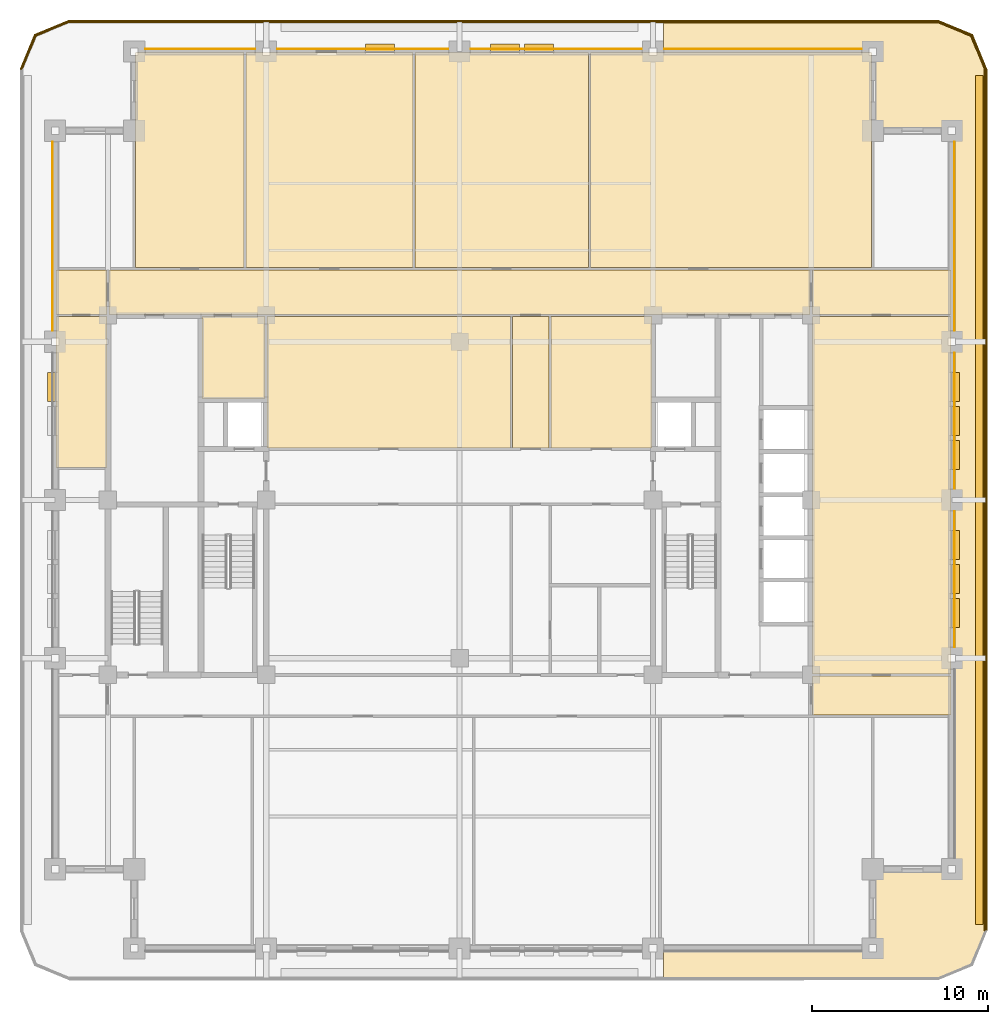
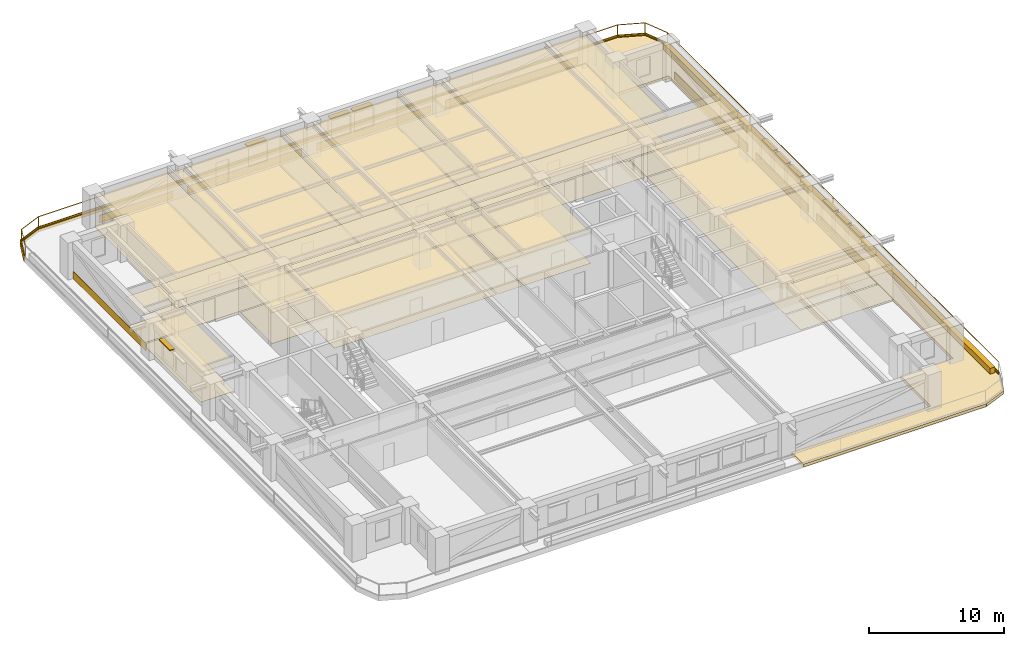
# One storey, part 13 of 13: 44 coverings, 10 shading devices, 2 railings.
"""IFC4 building model written with IfcOpenShell, lengths in metres."""

from ifc_helpers import new_model, si_unit, direction, frame, frame_2d, origin, origin_2d, place, context, subcontext, project, spatial, polyline, rectangle, outline, extrude, material, layer, layer_set, type_object, element, save


model = new_model("IFC4")

# Units and contexts
model_context = context("Model", 3, precision=1e-05, world=origin(), true_north=direction((0.0, 1.0)))
body_context = subcontext(model_context, "Body", "Model", "MODEL_VIEW")
ifc_project = project(units=[si_unit("LENGTHUNIT", "METRE"), si_unit("AREAUNIT", "SQUARE_METRE"), si_unit("VOLUMEUNIT", "CUBIC_METRE"), si_unit("PLANEANGLEUNIT", "RADIAN"), si_unit("MASSUNIT", "GRAM", prefix="KILO")], contexts=[model_context])

# Site, building, storey
site_placement = place(None, origin())
site = spatial("IfcSite", under=ifc_project, at=site_placement, CompositionType="ELEMENT")
building_placement = place(site_placement, origin())
building = spatial("IfcBuilding", under=site, at=building_placement, Name="Zulmaris Gate Convention Tower", CompositionType="ELEMENT")
storey_placement = place(building_placement, frame((0.0, 0.0, 105.639892578125)))
storey = spatial("IfcBuildingStorey", under=building, at=storey_placement, Name="L26", CompositionType="ELEMENT", Elevation=105.639892578125)

# Coverings
ifc_material_1 = material(Name="Precast concrete C40/50", Category="concrete")
ifc_layer_1 = layer(ifc_material_1, 0.0400390625, Name="Precast concrete C40/50")
ifc_layer_set_1 = layer_set([ifc_layer_1], Name="Precast concrete C40/50")
covering_type_1 = type_object("IfcCoveringType", Name="CLAD-SPANDREL-PRECAST", PredefinedType="CLADDING", material=ifc_layer_set_1)
covering_1_placement = place(storey_placement, frame((-11.6298828125, 25.64990234375, 0.0), z_axis=(0.0, 0.0, 1.0), x_axis=(-1.0, 0.0, 0.0)))
element("IfcCovering", 1, at=covering_1_placement, inside=storey, type_object=covering_type_1, Name="CLD-L26-N-0_0", PredefinedType="CLADDING", context=body_context, shape_type="SweptSolid", body=[
    extrude(rectangle(XDim=6.240234375, YDim=0.0400390625, at=frame_2d((3.1201171875, 0.0))), origin(), (0.0, 0.0, 1.0), 0.679931640625),
])
for number, where, z_axis, x_axis, name in (
    (2, (-0.6298828125, 25.64990234375, 0.0), (0.0, 0.0, 1.0), (-1.0, 0.0, 0.0), "CLD-L26-N-1_0"),
    (3, (10.3701171875, 25.64990234375, 0.0), (0.0, 0.0, 1.0), (-1.0, 0.0, 0.0), "CLD-L26-N-2_0"),
):
    element("IfcCovering", number, at=place(storey_placement, frame(where, z_axis=z_axis, x_axis=x_axis)), inside=storey, type_object=covering_type_1, Name=name, PredefinedType="CLADDING", context=body_context, shape_type="SweptSolid", body=[
        extrude(rectangle(XDim=9.740234375, YDim=0.0400390625, at=frame_2d((4.8701171875, 0.0))), origin(), (0.0, 0.0, 1.0), 0.679931640625),
    ])
covering_2_placement = place(storey_placement, frame((22.8701171875, 25.64990234375, 0.0), z_axis=(0.0, 0.0, 1.0), x_axis=(-1.0, 0.0, 0.0)))
element("IfcCovering", 4, at=covering_2_placement, inside=storey, type_object=covering_type_1, Name="CLD-L26-N-3_0", PredefinedType="CLADDING", context=body_context, shape_type="SweptSolid", body=[
    extrude(rectangle(XDim=11.240234375, YDim=0.0400390625, at=frame_2d((5.6201171875, 0.0))), origin(), (0.0, 0.0, 1.0), 0.679931640625),
])
for number, where, z_axis, x_axis, name in (
    (5, (28.14990234375, -8.3701171875, 0.0), (0.0, 0.0, 1.0), (0.0, 1.0, 0.0), "CLD-L26-E-1_0"),
    (6, (28.14990234375, 0.6298828125, 0.0), (0.0, 0.0, 1.0), (0.0, 1.0, 0.0), "CLD-L26-E-2_0"),
):
    element("IfcCovering", number, at=place(storey_placement, frame(where, z_axis=z_axis, x_axis=x_axis)), inside=storey, type_object=covering_type_1, Name=name, PredefinedType="CLADDING", context=body_context, shape_type="SweptSolid", body=[
        extrude(rectangle(XDim=7.740234375, YDim=0.0400390625, at=frame_2d((3.8701171875, 0.0))), origin(), (0.0, 0.0, 1.0), 0.679931640625),
    ])
for number, where, z_axis, x_axis, name in (
    (7, (28.14990234375, 9.6298828125, 0.0), (0.0, 0.0, 1.0), (0.0, 1.0, 0.0), "CLD-L26-E-3_0"),
    (8, (-23.14990234375, 20.3701171875, 0.0), (0.0, 0.0, 1.0), (0.0, -1.0, 0.0), "CLD-L26-W-3_0"),
):
    element("IfcCovering", number, at=place(storey_placement, frame(where, z_axis=z_axis, x_axis=x_axis)), inside=storey, type_object=covering_type_1, Name=name, PredefinedType="CLADDING", context=body_context, shape_type="SweptSolid", body=[
        extrude(rectangle(XDim=10.740234375, YDim=0.0400390625, at=frame_2d((5.3701171875, 0.0))), origin(), (0.0, 0.0, 1.0), 0.679931640625),
    ])
ifc_material_2 = material(Name="White Glazed Architectural Precast Concrete C40/50", Category="concrete")
ifc_layer_2 = layer(ifc_material_2, 0.239990234375, Name="White Glazed Architectural Precast Concrete C40/50")
ifc_layer_set_2 = layer_set([ifc_layer_2], Name="White Glazed Architectural Precast Concrete C40/50")
covering_type_2 = type_object("IfcCoveringType", Name="CLAD-TRAY-DECK", PredefinedType="CLADDING", material=ifc_layer_set_2)
covering_3_placement = place(storey_placement, frame((0.0, 0.0, -0.25)))
element("IfcCovering", 9, at=covering_3_placement, inside=storey, type_object=covering_type_2, Name="L26 East Rounded-Fascia Planter Tray Deck", PredefinedType="CLADDING", context=body_context, shape_type="SweptSolid", body=[
    extrude(outline(polyline([(27.199951171875, 27.300048828125), (29.179931640625, 26.47998046875), (30.0, 24.5), (30.0, -24.5), (29.179931640625, -26.47998046875), (27.199951171875, -27.300048828125), (11.60205078125, -27.300048828125), (11.60205078125, -25.5), (23.5, -25.5), (23.5, -21.0), (28.0, -21.0), (28.0, 21.0), (23.5, 21.0), (23.5, 25.5), (11.60205078125, 25.5), (11.60205078125, 27.300048828125), (27.199951171875, 27.300048828125)])), origin(), (0.0, 0.0, 1.0), 0.260009765625),
])
ifc_layer_3 = layer(ifc_material_2, 0.080078125, Name="White Glazed Architectural Precast Concrete C40/50")
ifc_layer_set_3 = layer_set([ifc_layer_3], Name="White Glazed Architectural Precast Concrete C40/50")
covering_type_3 = type_object("IfcCoveringType", Name="CLAD-TRAY-FASCIA", PredefinedType="CLADDING", material=ifc_layer_set_3)
covering_4_placement = place(storey_placement, frame((29.9599609375, -24.5, -0.2900390625), z_axis=(0.0, 0.0, 1.0), x_axis=(0.0, 1.0, 0.0)))
element("IfcCovering", 10, at=covering_4_placement, inside=storey, type_object=covering_type_3, Name="FSC-L26-TR-05", PredefinedType="CLADDING", context=body_context, shape_type="SweptSolid", body=[
    extrude(rectangle(XDim=49.0, YDim=0.080078125, at=frame_2d((24.5, 0.0))), origin(), (0.0, 0.0, 1.0), 0.4599609375),
])
covering_5_placement = place(storey_placement, frame((29.962890625, 24.484619140625, -0.2900390625), z_axis=(0.0, 0.0, 1.0), x_axis=(-0.382656984709, 0.923890487046, 0.0)))
element("IfcCovering", 11, at=covering_5_placement, inside=storey, type_object=covering_type_3, Name="FSC-L26-TR-06", PredefinedType="CLADDING", context=body_context, shape_type="SweptSolid", body=[
    extrude(rectangle(XDim=2.14306640625, YDim=0.080078125, at=frame_2d((1.071533203125, 0.0))), origin(), (0.0, 0.0, 1.0), 0.4599609375),
])
covering_6_placement = place(storey_placement, frame((29.16455078125, 26.44287109375, -0.2900390625), z_axis=(0.0, 0.0, 1.0), x_axis=(-0.923873803533, 0.382697263049, 0.0)))
element("IfcCovering", 12, at=covering_6_placement, inside=storey, type_object=covering_type_3, Name="FSC-L26-TR-07", PredefinedType="CLADDING", context=body_context, shape_type="SweptSolid", body=[
    extrude(rectangle(XDim=2.142822265625, YDim=0.080078125, at=frame_2d((1.0712890625, 0.0))), origin(), (0.0, 0.0, 1.0), 0.4599609375),
])
covering_7_placement = place(storey_placement, frame((27.199951171875, 27.260009765625, -0.2900390625), z_axis=(0.0, 0.0, 1.0), x_axis=(-1.0, 0.0, 0.0)))
element("IfcCovering", 13, at=covering_7_placement, inside=storey, type_object=covering_type_3, Name="FSC-L26-TR-08", PredefinedType="CLADDING", context=body_context, shape_type="SweptSolid", body=[
    extrude(rectangle(XDim=49.39990234375, YDim=0.080078125, at=frame_2d((24.699951171875, 0.0))), origin(), (0.0, 0.0, 1.0), 0.4599609375),
])
covering_8_placement = place(storey_placement, frame((-22.184814453125, 27.262939453125, -0.2900390625), z_axis=(0.0, 0.0, 1.0), x_axis=(-0.923873803533, -0.382697263049, 0.0)))
element("IfcCovering", 14, at=covering_8_placement, inside=storey, type_object=covering_type_3, Name="FSC-L26-TR-09", PredefinedType="CLADDING", context=body_context, shape_type="SweptSolid", body=[
    extrude(rectangle(XDim=2.142822265625, YDim=0.080078125, at=frame_2d((1.0712890625, 0.0))), origin(), (0.0, 0.0, 1.0), 0.4599609375),
])
covering_9_placement = place(storey_placement, frame((-24.142822265625, 26.464599609375, -0.2900390625), z_axis=(0.0, 0.0, 1.0), x_axis=(-0.382656984709, -0.923890487046, 0.0)))
element("IfcCovering", 15, at=covering_9_placement, inside=storey, type_object=covering_type_3, Name="FSC-L26-TR-10", PredefinedType="CLADDING", context=body_context, shape_type="SweptSolid", body=[
    extrude(rectangle(XDim=2.14306640625, YDim=0.080078125, at=frame_2d((1.071533203125, 0.0))), origin(), (0.0, 0.0, 1.0), 0.4599609375),
])
ifc_material_3 = material(Name="Mineral Fibre Acoustic Ceiling Tile")
ifc_layer_4 = layer(ifc_material_3, 0.02001953125, Name="Mineral Fibre Acoustic Ceiling Tile")
ifc_layer_set_4 = layer_set([ifc_layer_4], Name="Mineral Fibre Acoustic Ceiling Tile")
covering_type_4 = type_object("IfcCoveringType", Name="CLG-ACOUSTIC-600", PredefinedType="CEILING", material=ifc_layer_set_4)
covering_10_placement = place(storey_placement, frame((0.0, 0.0, 2.778076171875)))
element("IfcCovering", 16, at=covering_10_placement, inside=storey, type_object=covering_type_4, Name="CLG-L26-R11", PredefinedType="CEILING", context=body_context, shape_type="SweptSolid", body=[
    extrude(outline(polyline([(-14.639892578125, 5.760009765625), (-11.06005859375, 5.760009765625), (-11.06005859375, 10.43994140625), (-14.639892578125, 10.43994140625), (-14.639892578125, 5.760009765625)])), origin(), (0.0, 0.0, 1.0), 0.02001953125),
])
covering_11_placement = place(storey_placement, frame((0.0, 0.0, 2.778076171875)))
element("IfcCovering", 17, at=covering_11_placement, inside=storey, type_object=covering_type_4, Name="CLG-L26-R25", PredefinedType="CEILING", context=body_context, shape_type="SweptSolid", body=[
    extrude(outline(polyline([(-19.93994140625, 10.56005859375), (19.93994140625, 10.56005859375), (19.93994140625, 13.090087890625), (-19.93994140625, 13.090087890625), (-19.93994140625, 10.56005859375)])), origin(), (0.0, 0.0, 1.0), 0.02001953125),
])
covering_12_placement = place(storey_placement, frame((0.0, 0.0, 2.778076171875)))
element("IfcCovering", 18, at=covering_12_placement, inside=storey, type_object=covering_type_4, Name="CLG-L26-R28", PredefinedType="CEILING", context=body_context, shape_type="SweptSolid", body=[
    extrude(outline(polyline([(3.010009765625, 2.9599609375), (5.090087890625, 2.9599609375), (5.090087890625, 10.43994140625), (3.010009765625, 10.43994140625), (3.010009765625, 2.9599609375)])), origin(), (0.0, 0.0, 1.0), 0.02001953125),
])
covering_13_placement = place(storey_placement, frame((0.0, 0.0, 2.68017578125)))
element("IfcCovering", 19, at=covering_13_placement, inside=storey, type_object=covering_type_4, Name="CLG-L26-R30", PredefinedType="CEILING", context=body_context, shape_type="SweptSolid", body=[
    extrude(outline(polyline([(-18.43994140625, 13.2099609375), (-12.260009765625, 13.2099609375), (-12.260009765625, 25.43994140625), (-18.43994140625, 25.43994140625), (-18.43994140625, 13.2099609375)])), origin(), (0.0, 0.0, 1.0), 0.02001953125),
])
covering_14_placement = place(storey_placement, frame((0.0, 0.0, 2.68017578125)))
element("IfcCovering", 20, at=covering_14_placement, inside=storey, type_object=covering_type_4, Name="CLG-L26-R31", PredefinedType="CEILING", context=body_context, shape_type="SweptSolid", body=[
    extrude(outline(polyline([(-12.139892578125, 13.2099609375), (-2.659912109375, 13.2099609375), (-2.659912109375, 25.43994140625), (-12.139892578125, 25.43994140625), (-12.139892578125, 13.2099609375)])), origin(), (0.0, 0.0, 1.0), 0.02001953125),
])
covering_15_placement = place(storey_placement, frame((0.0, 0.0, 2.68017578125)))
element("IfcCovering", 21, at=covering_15_placement, inside=storey, type_object=covering_type_4, Name="CLG-L26-R32", PredefinedType="CEILING", context=body_context, shape_type="SweptSolid", body=[
    extrude(outline(polyline([(-2.5400390625, 13.2099609375), (7.340087890625, 13.2099609375), (7.340087890625, 25.43994140625), (-2.5400390625, 25.43994140625), (-2.5400390625, 13.2099609375)])), origin(), (0.0, 0.0, 1.0), 0.02001953125),
])
covering_16_placement = place(storey_placement, frame((0.0, 0.0, 2.68017578125)))
element("IfcCovering", 22, at=covering_16_placement, inside=storey, type_object=covering_type_4, Name="CLG-L26-R33", PredefinedType="CEILING", context=body_context, shape_type="SweptSolid", body=[
    extrude(outline(polyline([(7.4599609375, 13.2099609375), (23.43994140625, 13.2099609375), (23.43994140625, 25.43994140625), (7.4599609375, 25.43994140625), (7.4599609375, 13.2099609375)])), origin(), (0.0, 0.0, 1.0), 0.02001953125),
])
covering_17_placement = place(storey_placement, frame((0.0, 0.0, 2.778076171875)))
element("IfcCovering", 23, at=covering_17_placement, inside=storey, type_object=covering_type_4, Name="CLG-L26-R38", PredefinedType="CEILING", context=body_context, shape_type="SweptSolid", body=[
    extrude(outline(polyline([(-10.93994140625, 2.9599609375), (2.889892578125, 2.9599609375), (2.889892578125, 10.43994140625), (-10.93994140625, 10.43994140625), (-10.93994140625, 2.9599609375)])), origin(), (0.0, 0.0, 1.0), 0.02001953125),
])
covering_18_placement = place(storey_placement, frame((0.0, 0.0, 2.778076171875)))
element("IfcCovering", 24, at=covering_18_placement, inside=storey, type_object=covering_type_4, Name="CLG-L26-R39", PredefinedType="CEILING", context=body_context, shape_type="SweptSolid", body=[
    extrude(outline(polyline([(5.2099609375, 2.9599609375), (10.93994140625, 2.9599609375), (10.93994140625, 10.43994140625), (5.2099609375, 10.43994140625), (5.2099609375, 2.9599609375)])), origin(), (0.0, 0.0, 1.0), 0.02001953125),
])
covering_19_placement = place(storey_placement, frame((0.0, 0.0, 2.68017578125)))
element("IfcCovering", 25, at=covering_19_placement, inside=storey, type_object=covering_type_4, Name="CLG-L26-R44", PredefinedType="CEILING", context=body_context, shape_type="SweptSolid", body=[
    extrude(outline(polyline([(-22.93994140625, 10.56005859375), (-20.06005859375, 10.56005859375), (-20.06005859375, 13.090087890625), (-22.93994140625, 13.090087890625), (-22.93994140625, 10.56005859375)])), origin(), (0.0, 0.0, 1.0), 0.02001953125),
])
covering_20_placement = place(storey_placement, frame((0.0, 0.0, 2.68017578125)))
element("IfcCovering", 26, at=covering_20_placement, inside=storey, type_object=covering_type_4, Name="CLG-L26-R46", PredefinedType="CEILING", context=body_context, shape_type="SweptSolid", body=[
    extrude(outline(polyline([(-22.93994140625, 1.860107421875), (-20.06005859375, 1.860107421875), (-20.06005859375, 10.43994140625), (-22.93994140625, 10.43994140625), (-22.93994140625, 1.860107421875)])), origin(), (0.0, 0.0, 1.0), 0.02001953125),
])
covering_21_placement = place(storey_placement, frame((0.0, 0.0, 2.68017578125)))
element("IfcCovering", 27, at=covering_21_placement, inside=storey, type_object=covering_type_4, Name="CLG-L26-R48", PredefinedType="CEILING", context=body_context, shape_type="SweptSolid", body=[
    extrude(outline(polyline([(20.06005859375, 10.56005859375), (27.93994140625, 10.56005859375), (27.93994140625, 13.090087890625), (20.06005859375, 13.090087890625), (20.06005859375, 10.56005859375)])), origin(), (0.0, 0.0, 1.0), 0.02001953125),
])
covering_22_placement = place(storey_placement, frame((0.0, 0.0, 2.68017578125)))
element("IfcCovering", 28, at=covering_22_placement, inside=storey, type_object=covering_type_4, Name="CLG-L26-R49", PredefinedType="CEILING", context=body_context, shape_type="SweptSolid", body=[
    extrude(outline(polyline([(20.06005859375, -12.239990234375), (27.93994140625, -12.239990234375), (27.93994140625, -10.010009765625), (20.06005859375, -10.010009765625), (20.06005859375, -12.239990234375)])), origin(), (0.0, 0.0, 1.0), 0.02001953125),
])
covering_23_placement = place(storey_placement, frame((0.0, 0.0, 2.68017578125)))
element("IfcCovering", 29, at=covering_23_placement, inside=storey, type_object=covering_type_4, Name="CLG-L26-R50", PredefinedType="CEILING", context=body_context, shape_type="SweptSolid", body=[
    extrude(outline(polyline([(20.06005859375, -9.889892578125), (27.93994140625, -9.889892578125), (27.93994140625, 10.43994140625), (20.06005859375, 10.43994140625), (20.06005859375, -9.889892578125)])), origin(), (0.0, 0.0, 1.0), 0.02001953125),
])
ifc_material_4 = material(Name="Woven Acoustic Wool Carpet Tile")
ifc_layer_5 = layer(ifc_material_4, 0.02001953125, Name="Woven Acoustic Wool Carpet Tile")
ifc_layer_set_5 = layer_set([ifc_layer_5], Name="Woven Acoustic Wool Carpet Tile")
covering_type_5 = type_object("IfcCoveringType", Name="FLR-CARPET-12", PredefinedType="FLOORING", material=ifc_layer_set_5)
covering_24_placement = place(storey_placement, origin())
element("IfcCovering", 30, at=covering_24_placement, inside=storey, type_object=covering_type_5, Name="FLR-L26-R11", PredefinedType="FLOORING", context=body_context, shape_type="SweptSolid", body=[
    extrude(outline(polyline([(-14.639892578125, 5.760009765625), (-11.06005859375, 5.760009765625), (-11.06005859375, 10.43994140625), (-14.639892578125, 10.43994140625), (-14.639892578125, 5.760009765625)])), origin(), (0.0, 0.0, 1.0), 0.02001953125),
])
covering_25_placement = place(storey_placement, origin())
element("IfcCovering", 31, at=covering_25_placement, inside=storey, type_object=covering_type_5, Name="FLR-L26-R25", PredefinedType="FLOORING", context=body_context, shape_type="SweptSolid", body=[
    extrude(outline(polyline([(-19.93994140625, 10.56005859375), (19.93994140625, 10.56005859375), (19.93994140625, 13.090087890625), (-19.93994140625, 13.090087890625), (-19.93994140625, 10.56005859375)])), origin(), (0.0, 0.0, 1.0), 0.02001953125),
])
covering_26_placement = place(storey_placement, origin())
element("IfcCovering", 32, at=covering_26_placement, inside=storey, type_object=covering_type_5, Name="FLR-L26-R28", PredefinedType="FLOORING", context=body_context, shape_type="SweptSolid", body=[
    extrude(outline(polyline([(3.010009765625, 2.9599609375), (5.090087890625, 2.9599609375), (5.090087890625, 10.43994140625), (3.010009765625, 10.43994140625), (3.010009765625, 2.9599609375)])), origin(), (0.0, 0.0, 1.0), 0.02001953125),
])
covering_27_placement = place(storey_placement, origin())
element("IfcCovering", 33, at=covering_27_placement, inside=storey, type_object=covering_type_5, Name="FLR-L26-R30", PredefinedType="FLOORING", context=body_context, shape_type="SweptSolid", body=[
    extrude(outline(polyline([(-18.43994140625, 13.2099609375), (-12.260009765625, 13.2099609375), (-12.260009765625, 25.43994140625), (-18.43994140625, 25.43994140625), (-18.43994140625, 13.2099609375)])), origin(), (0.0, 0.0, 1.0), 0.02001953125),
])
covering_28_placement = place(storey_placement, origin())
element("IfcCovering", 34, at=covering_28_placement, inside=storey, type_object=covering_type_5, Name="FLR-L26-R31", PredefinedType="FLOORING", context=body_context, shape_type="SweptSolid", body=[
    extrude(outline(polyline([(-12.139892578125, 13.2099609375), (-2.659912109375, 13.2099609375), (-2.659912109375, 25.43994140625), (-12.139892578125, 25.43994140625), (-12.139892578125, 13.2099609375)])), origin(), (0.0, 0.0, 1.0), 0.02001953125),
])
covering_29_placement = place(storey_placement, origin())
element("IfcCovering", 35, at=covering_29_placement, inside=storey, type_object=covering_type_5, Name="FLR-L26-R32", PredefinedType="FLOORING", context=body_context, shape_type="SweptSolid", body=[
    extrude(outline(polyline([(-2.5400390625, 13.2099609375), (7.340087890625, 13.2099609375), (7.340087890625, 25.43994140625), (-2.5400390625, 25.43994140625), (-2.5400390625, 13.2099609375)])), origin(), (0.0, 0.0, 1.0), 0.02001953125),
])
covering_30_placement = place(storey_placement, origin())
element("IfcCovering", 36, at=covering_30_placement, inside=storey, type_object=covering_type_5, Name="FLR-L26-R33", PredefinedType="FLOORING", context=body_context, shape_type="SweptSolid", body=[
    extrude(outline(polyline([(7.4599609375, 13.2099609375), (23.43994140625, 13.2099609375), (23.43994140625, 25.43994140625), (7.4599609375, 25.43994140625), (7.4599609375, 13.2099609375)])), origin(), (0.0, 0.0, 1.0), 0.02001953125),
])
covering_31_placement = place(storey_placement, origin())
element("IfcCovering", 37, at=covering_31_placement, inside=storey, type_object=covering_type_5, Name="FLR-L26-R39", PredefinedType="FLOORING", context=body_context, shape_type="SweptSolid", body=[
    extrude(outline(polyline([(5.2099609375, 2.9599609375), (10.93994140625, 2.9599609375), (10.93994140625, 10.43994140625), (5.2099609375, 10.43994140625), (5.2099609375, 2.9599609375)])), origin(), (0.0, 0.0, 1.0), 0.02001953125),
])
covering_32_placement = place(storey_placement, origin())
element("IfcCovering", 38, at=covering_32_placement, inside=storey, type_object=covering_type_5, Name="FLR-L26-R44", PredefinedType="FLOORING", context=body_context, shape_type="SweptSolid", body=[
    extrude(outline(polyline([(-22.93994140625, 10.56005859375), (-20.06005859375, 10.56005859375), (-20.06005859375, 13.090087890625), (-22.93994140625, 13.090087890625), (-22.93994140625, 10.56005859375)])), origin(), (0.0, 0.0, 1.0), 0.02001953125),
])
covering_33_placement = place(storey_placement, origin())
element("IfcCovering", 39, at=covering_33_placement, inside=storey, type_object=covering_type_5, Name="FLR-L26-R46", PredefinedType="FLOORING", context=body_context, shape_type="SweptSolid", body=[
    extrude(outline(polyline([(-22.93994140625, 1.860107421875), (-20.06005859375, 1.860107421875), (-20.06005859375, 10.43994140625), (-22.93994140625, 10.43994140625), (-22.93994140625, 1.860107421875)])), origin(), (0.0, 0.0, 1.0), 0.02001953125),
])
covering_34_placement = place(storey_placement, origin())
element("IfcCovering", 40, at=covering_34_placement, inside=storey, type_object=covering_type_5, Name="FLR-L26-R48", PredefinedType="FLOORING", context=body_context, shape_type="SweptSolid", body=[
    extrude(outline(polyline([(20.06005859375, 10.56005859375), (27.93994140625, 10.56005859375), (27.93994140625, 13.090087890625), (20.06005859375, 13.090087890625), (20.06005859375, 10.56005859375)])), origin(), (0.0, 0.0, 1.0), 0.02001953125),
])
covering_35_placement = place(storey_placement, origin())
element("IfcCovering", 41, at=covering_35_placement, inside=storey, type_object=covering_type_5, Name="FLR-L26-R49", PredefinedType="FLOORING", context=body_context, shape_type="SweptSolid", body=[
    extrude(outline(polyline([(20.06005859375, -12.239990234375), (27.93994140625, -12.239990234375), (27.93994140625, -10.010009765625), (20.06005859375, -10.010009765625), (20.06005859375, -12.239990234375)])), origin(), (0.0, 0.0, 1.0), 0.02001953125),
])
covering_36_placement = place(storey_placement, origin())
element("IfcCovering", 42, at=covering_36_placement, inside=storey, type_object=covering_type_5, Name="FLR-L26-R50", PredefinedType="FLOORING", context=body_context, shape_type="SweptSolid", body=[
    extrude(outline(polyline([(20.06005859375, -9.889892578125), (27.93994140625, -9.889892578125), (27.93994140625, 10.43994140625), (20.06005859375, 10.43994140625), (20.06005859375, -9.889892578125)])), origin(), (0.0, 0.0, 1.0), 0.02001953125),
])
ifc_material_5 = material(Name="Polished Granite Terrazzo Tile", Category="masonry")
ifc_layer_6 = layer(ifc_material_5, 0.02001953125, Name="Polished Granite Terrazzo Tile")
ifc_layer_set_6 = layer_set([ifc_layer_6], Name="Polished Granite Terrazzo Tile")
covering_type_6 = type_object("IfcCoveringType", Name="FLR-TERRAZZO-30", PredefinedType="FLOORING", material=ifc_layer_set_6)
covering_37_placement = place(storey_placement, origin())
element("IfcCovering", 43, at=covering_37_placement, inside=storey, type_object=covering_type_6, Name="FLR-L26-R38", PredefinedType="FLOORING", context=body_context, shape_type="SweptSolid", body=[
    extrude(outline(polyline([(-10.93994140625, 2.9599609375), (2.889892578125, 2.9599609375), (2.889892578125, 10.43994140625), (-10.93994140625, 10.43994140625), (-10.93994140625, 2.9599609375)])), origin(), (0.0, 0.0, 1.0), 0.02001953125),
])
ifc_material_6 = material(Name="Botanical Green Glazed Precast Concrete C40/50", Category="concrete")
ifc_layer_7 = layer(ifc_material_6, 0.419921875, Name="Botanical Green Glazed Precast Concrete C40/50")
ifc_layer_set_7 = layer_set([ifc_layer_7], Name="Botanical Green Glazed Precast Concrete C40/50")
covering_type_7 = type_object("IfcCoveringType", Name="PLANTER-BOX-200", PredefinedType="CLADDING", material=ifc_layer_set_7)
covering_38_placement = place(storey_placement, frame((0.0, 0.0, 0.010009765625)))
element("IfcCovering", 44, at=covering_38_placement, inside=storey, type_object=covering_type_7, Name="L26 E Full-Length Balcony Tree Planter Trough", PredefinedType="CLADDING", context=body_context, shape_type="SweptSolid", body=[
    extrude(outline(polyline([(29.340087890625, -24.14990234375), (29.760009765625, -24.14990234375), (29.760009765625, 24.14990234375), (29.340087890625, 24.14990234375), (29.340087890625, -24.14990234375)])), origin(), (0.0, 0.0, 1.0), 0.52001953125),
])

# Railings
ifc_material_7 = material(Name="Laminated Glass and Stainless Steel", Category="steel")
railing_type = type_object("IfcRailingType", Name="RL-BALC-1150", PredefinedType="BALUSTRADE", material=ifc_material_7)
railing_1_placement = place(storey_placement, frame((29.8798828125, -24.5, 0.010009765625)))
element("IfcRailing", 45, at=railing_1_placement, inside=storey, type_object=railing_type, Name="RL-L26-BALC-E", PredefinedType="BALUSTRADE", context=body_context, shape_type="SweptSolid", body=[
    extrude(rectangle(XDim=0.048095703125, YDim=0.048095703125, at=origin_2d()), frame((0.0, 0.0, 1.1259765625), z_axis=(0.0, 1.0, 0.0), x_axis=(-1.0, 0.0, 0.0)), (0.0, 0.0, 1.0), 49.0),
    extrude(rectangle(XDim=0.048095703125, YDim=0.048095703125, at=origin_2d()), frame((0.0, 0.0, 0.02392578125), z_axis=(0.0, 1.0, 0.0), x_axis=(-1.0, 0.0, 0.0)), (0.0, 0.0, 1.0), 49.0),
    extrude(rectangle(XDim=0.0419921875, YDim=0.0419921875, at=origin_2d()), origin(), (0.0, 0.0, 1.0), 1.101806640625),
    extrude(rectangle(XDim=0.0419921875, YDim=0.0419921875, at=origin_2d()), frame((0.0, 12.25, 0.0)), (0.0, 0.0, 1.0), 1.101806640625),
    extrude(rectangle(XDim=0.0419921875, YDim=0.0419921875, at=origin_2d()), frame((0.0, 24.5, 0.0)), (0.0, 0.0, 1.0), 1.101806640625),
    extrude(rectangle(XDim=0.0419921875, YDim=0.0419921875, at=origin_2d()), frame((0.0, 36.75, 0.0)), (0.0, 0.0, 1.0), 1.101806640625),
    extrude(rectangle(XDim=0.0419921875, YDim=0.0419921875, at=origin_2d()), frame((0.0, 49.0, 0.0)), (0.0, 0.0, 1.0), 1.101806640625),
])
railing_2_placement = place(storey_placement, frame((29.8798828125, 24.5, 0.010009765625)))
element("IfcRailing", 46, at=railing_2_placement, inside=storey, type_object=railing_type, Name="RL-L26-BALC-N", PredefinedType="BALUSTRADE", context=body_context, shape_type="SweptSolid", body=[
    extrude(rectangle(XDim=0.048095703125, YDim=0.048095703125, at=origin_2d()), frame((0.0, 0.0, 1.1259765625), z_axis=(-0.382670664694, 0.92388482095, 0.0), x_axis=(-0.92388482095, -0.382670664694, 0.0)), (0.0, 0.0, 1.0), 2.051025390625),
    extrude(rectangle(XDim=0.048095703125, YDim=0.048095703125, at=origin_2d()), frame((0.0, 0.0, 0.02392578125), z_axis=(-0.382670664694, 0.92388482095, 0.0), x_axis=(-0.92388482095, -0.382670664694, 0.0)), (0.0, 0.0, 1.0), 2.051025390625),
    extrude(rectangle(XDim=0.048095703125, YDim=0.048095703125, at=origin_2d()), frame((-0.784912109375, 1.89501953125, 1.1259765625), z_axis=(-0.92388482095, 0.382670664694, 0.0), x_axis=(-0.382670664694, -0.92388482095, 0.0)), (0.0, 0.0, 1.0), 2.051025390625),
    extrude(rectangle(XDim=0.048095703125, YDim=0.048095703125, at=origin_2d()), frame((-0.784912109375, 1.89501953125, 0.02392578125), z_axis=(-0.92388482095, 0.382670664694, 0.0), x_axis=(-0.382670664694, -0.92388482095, 0.0)), (0.0, 0.0, 1.0), 2.051025390625),
    extrude(rectangle(XDim=0.048095703125, YDim=0.048095703125, at=origin_2d()), frame((-2.679931640625, 2.679931640625, 1.1259765625), z_axis=(-1.0, 0.0, 0.0), x_axis=(0.0, -1.0, 0.0)), (0.0, 0.0, 1.0), 49.39990234375),
    extrude(rectangle(XDim=0.048095703125, YDim=0.048095703125, at=origin_2d()), frame((-2.679931640625, 2.679931640625, 0.02392578125), z_axis=(-1.0, 0.0, 0.0), x_axis=(0.0, -1.0, 0.0)), (0.0, 0.0, 1.0), 49.39990234375),
    extrude(rectangle(XDim=0.048095703125, YDim=0.048095703125, at=origin_2d()), frame((-52.079833984375, 2.679931640625, 1.1259765625), z_axis=(-0.92388482095, -0.382670664694, 0.0), x_axis=(0.382670664694, -0.92388482095, 0.0)), (0.0, 0.0, 1.0), 2.051025390625),
    extrude(rectangle(XDim=0.048095703125, YDim=0.048095703125, at=origin_2d()), frame((-52.079833984375, 2.679931640625, 0.02392578125), z_axis=(-0.92388482095, -0.382670664694, 0.0), x_axis=(0.382670664694, -0.92388482095, 0.0)), (0.0, 0.0, 1.0), 2.051025390625),
    extrude(rectangle(XDim=0.048095703125, YDim=0.048095703125, at=origin_2d()), frame((-53.974853515625, 1.89501953125, 1.1259765625), z_axis=(-0.382670664694, -0.92388482095, 0.0), x_axis=(0.92388482095, -0.382670664694, 0.0)), (0.0, 0.0, 1.0), 2.051025390625),
    extrude(rectangle(XDim=0.048095703125, YDim=0.048095703125, at=origin_2d()), frame((-53.974853515625, 1.89501953125, 0.02392578125), z_axis=(-0.382670664694, -0.92388482095, 0.0), x_axis=(0.92388482095, -0.382670664694, 0.0)), (0.0, 0.0, 1.0), 2.051025390625),
    extrude(rectangle(XDim=0.0419921875, YDim=0.0419921875, at=origin_2d()), origin(), (0.0, 0.0, 1.0), 1.101806640625),
    extrude(rectangle(XDim=0.0419921875, YDim=0.0419921875, at=origin_2d()), frame((-0.784912109375, 1.89501953125, 0.0)), (0.0, 0.0, 1.0), 1.101806640625),
    extrude(rectangle(XDim=0.0419921875, YDim=0.0419921875, at=origin_2d()), frame((-2.679931640625, 2.679931640625, 0.0)), (0.0, 0.0, 1.0), 1.101806640625),
    extrude(rectangle(XDim=0.0419921875, YDim=0.0419921875, at=origin_2d()), frame((-15.02978515625, 2.679931640625, 0.0)), (0.0, 0.0, 1.0), 1.101806640625),
    extrude(rectangle(XDim=0.0419921875, YDim=0.0419921875, at=origin_2d()), frame((-27.3798828125, 2.679931640625, 0.0)), (0.0, 0.0, 1.0), 1.101806640625),
    extrude(rectangle(XDim=0.0419921875, YDim=0.0419921875, at=origin_2d()), frame((-39.72998046875, 2.679931640625, 0.0)), (0.0, 0.0, 1.0), 1.101806640625),
    extrude(rectangle(XDim=0.0419921875, YDim=0.0419921875, at=origin_2d()), frame((-52.079833984375, 2.679931640625, 0.0)), (0.0, 0.0, 1.0), 1.101806640625),
    extrude(rectangle(XDim=0.0419921875, YDim=0.0419921875, at=origin_2d()), frame((-53.974853515625, 1.89501953125, 0.0)), (0.0, 0.0, 1.0), 1.101806640625),
    extrude(rectangle(XDim=0.0419921875, YDim=0.0419921875, at=origin_2d()), frame((-54.759765625, 0.0, 0.0)), (0.0, 0.0, 1.0), 1.101806640625),
])

# Shading devices
ifc_material_8 = material(Name="Glazed Ceramic Terracotta", Category="masonry")
ifc_layer_8 = layer(ifc_material_8, 0.070068359375, Name="Glazed Ceramic Terracotta")
ifc_layer_set_8 = layer_set([ifc_layer_8], Name="Glazed Ceramic Terracotta")
shading_device_type = type_object("IfcShadingDeviceType", Name="SHD-SUNSHADE-TC", PredefinedType="AWNING", material=ifc_layer_set_8)
for number, where, z_axis, x_axis, name in (
    (47, (-3.700927734375, 25.719970703125, 2.530029296875), (0.0, 0.0, 1.0), (-1.0, 0.0, 0.0), "SHD-EW-L26-N-1_0-2"),
    (48, (5.35107421875, 25.719970703125, 2.530029296875), (0.0, 0.0, 1.0), (-1.0, 0.0, 0.0), "SHD-EW-L26-N-2_0-3"),
    (49, (3.403076171875, 25.719970703125, 2.530029296875), (0.0, 0.0, 1.0), (-1.0, 0.0, 0.0), "SHD-EW-L26-N-2_0-4"),
):
    element("IfcShadingDevice", number, at=place(storey_placement, frame(where, z_axis=z_axis, x_axis=x_axis)), inside=storey, type_object=shading_device_type, Name=name, PredefinedType="AWNING", context=body_context, shape_type="SweptSolid", body=[
        extrude(rectangle(XDim=1.650146484375, YDim=0.43994140625, at=frame_2d((0.8251953125, 0.0))), origin(), (0.0, 0.0, 1.0), 0.070068359375),
    ])
for number, where, z_axis, x_axis, name in (
    (50, (28.219970703125, -7.260009765625, 2.530029296875), (0.0, 0.0, 1.0), (0.0, 1.0, 0.0), "SHD-EW-L26-E-1_0-1"),
    (51, (28.219970703125, -5.324951171875, 2.530029296875), (0.0, 0.0, 1.0), (0.0, 1.0, 0.0), "SHD-EW-L26-E-1_0-2"),
    (52, (28.219970703125, -3.389892578125, 2.530029296875), (0.0, 0.0, 1.0), (0.0, 1.0, 0.0), "SHD-EW-L26-E-1_0-3"),
    (53, (28.219970703125, 1.739990234375, 2.530029296875), (0.0, 0.0, 1.0), (0.0, 1.0, 0.0), "SHD-EW-L26-E-2_0-1"),
    (54, (28.219970703125, 3.675048828125, 2.530029296875), (0.0, 0.0, 1.0), (0.0, 1.0, 0.0), "SHD-EW-L26-E-2_0-2"),
    (55, (28.219970703125, 5.610107421875, 2.530029296875), (0.0, 0.0, 1.0), (0.0, 1.0, 0.0), "SHD-EW-L26-E-2_0-3"),
    (56, (-23.219970703125, 7.260009765625, 2.530029296875), (0.0, 0.0, 1.0), (0.0, -1.0, 0.0), "SHD-EW-L26-W-2_0-1"),
):
    element("IfcShadingDevice", number, at=place(storey_placement, frame(where, z_axis=z_axis, x_axis=x_axis)), inside=storey, type_object=shading_device_type, Name=name, PredefinedType="AWNING", context=body_context, shape_type="SweptSolid", body=[
        extrude(rectangle(XDim=1.64990234375, YDim=0.43994140625, at=frame_2d((0.824951171875, 0.0))), origin(), (0.0, 0.0, 1.0), 0.070068359375),
    ])

save(model, "model.ifc")
